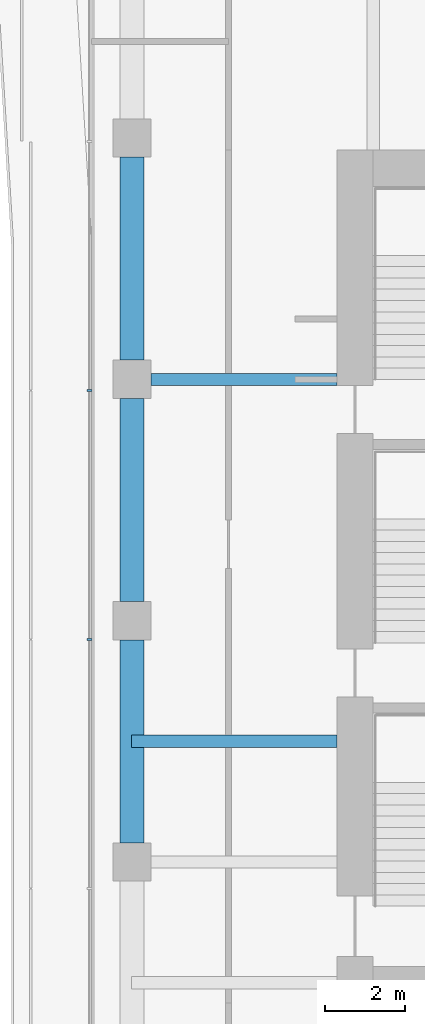
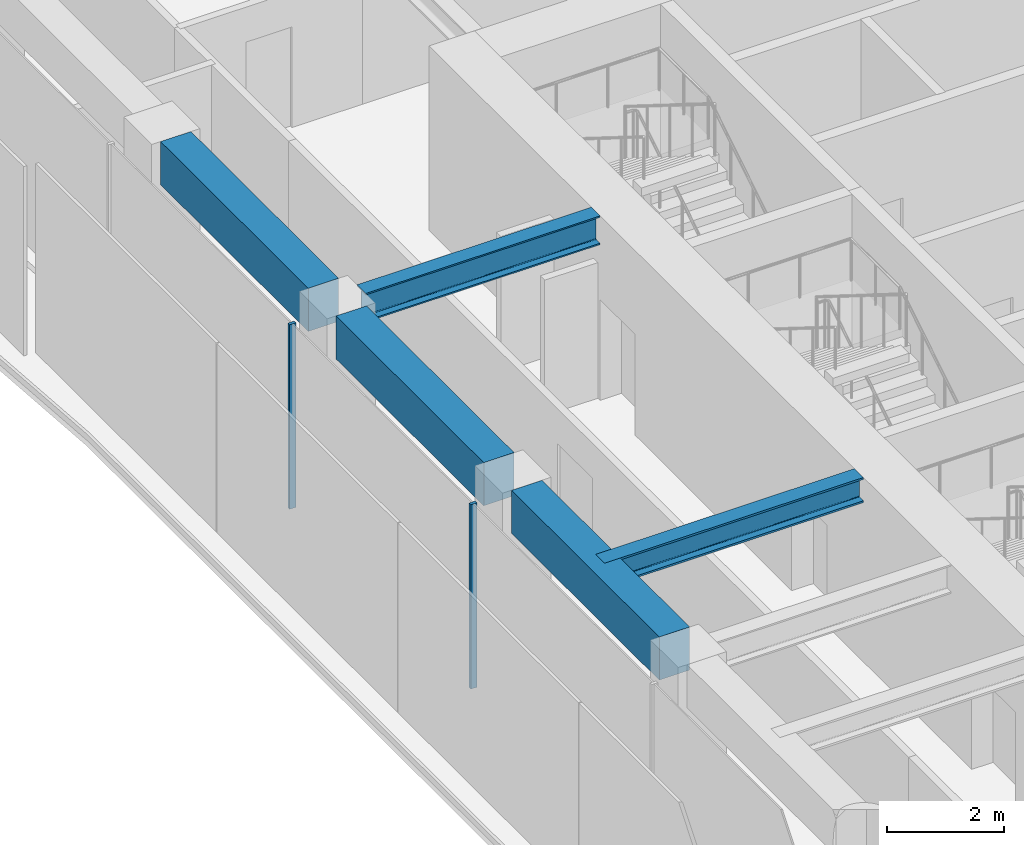
# One storey, part 4 of 29: 5 beams, 2 members, 1 element without a shape of its own.
"""IFC4 building model written with IfcOpenShell, lengths in metres."""

import ifcopenshell
import ifcopenshell.guid

model = None  # the IFC model being written
_history = None  # IfcOwnerHistory: only IFC2X3 demands one
_inside = {}  # id of a spatial element -> (the spatial element, [elements in it])
_under = {}  # id of a project, library or spatial element -> (it, [spatial elements below it])
_declared = {}  # id of a project -> (the project, [libraries it declares])
_typed = {}  # id of a type object -> (the type object, [elements of that type])
_made_of = {}  # id of a material, layer set ... -> (it, [elements and type objects made of it])


def new_model(schema):
    """Start an empty IFC model of exactly this schema.

    Asked for "IFC4X3", IfcOpenShell would pick the latest addendum, in which some entities
    have other attributes; the version numbers below select the first issue.
    IFC2X3 requires an IfcOwnerHistory on every rooted entity: one is made here for all.
    """
    global model, _history
    if schema == "IFC4X3":
        model = ifcopenshell.file(schema_version=(4, 3, 0, 0))
    else:
        model = ifcopenshell.file(schema=schema)
    _inside.clear()
    _under.clear()
    _declared.clear()
    _typed.clear()
    _made_of.clear()
    _history = None
    if model.schema == "IFC2X3":
        org = make("IfcOrganization", Name="unknown")
        user = make(
            "IfcPersonAndOrganization",
            ThePerson=make("IfcPerson", FamilyName="unknown"),
            TheOrganization=org,
        )
        app = make(
            "IfcApplication",
            ApplicationDeveloper=org,
            Version="unknown",
            ApplicationFullName="unknown",
            ApplicationIdentifier="unknown",
        )
        _history = make(
            "IfcOwnerHistory",
            OwningUser=user,
            OwningApplication=app,
            ChangeAction="ADDED",
            CreationDate=0,
        )
    return model


def make(cls, **values):
    """One entity of the class cls with the attributes given. An attribute that is None is left unset."""
    return model.create_entity(
        cls, **{name: value for name, value in values.items() if value is not None}
    )


def rooted(cls, **values):
    """An entity with a GlobalId (a new one), such as an element, a storey or a relation."""
    return make(cls, GlobalId=ifcopenshell.guid.new(), OwnerHistory=_history, **values)


def si_unit(unit_type, name, prefix=None):
    """IfcSIUnit, for example si_unit("LENGTHUNIT", "METRE", prefix="MILLI")."""
    return make("IfcSIUnit", UnitType=unit_type, Prefix=prefix, Name=name)


def assignment(units):
    """IfcUnitAssignment: the units of a project."""
    return None if units is None else make("IfcUnitAssignment", Units=units)


def point(xyz):
    """IfcCartesianPoint."""
    return None if xyz is None else make("IfcCartesianPoint", Coordinates=xyz)


def direction(xyz):
    """IfcDirection."""
    return None if xyz is None else make("IfcDirection", DirectionRatios=xyz)


def frame(location, z_axis=None, x_axis=None):
    """IfcAxis2Placement3D, a coordinate frame: its origin and axes. An axis left out is left unset."""
    return make(
        "IfcAxis2Placement3D",
        Location=point(location),
        Axis=direction(z_axis),
        RefDirection=direction(x_axis),
    )


def frame_2d(location, x_axis=None):
    """IfcAxis2Placement2D, a coordinate frame in the plane: its origin and x axis."""
    return make(
        "IfcAxis2Placement2D", Location=point(location), RefDirection=direction(x_axis)
    )


def origin():
    """The frame at (0, 0, 0) with its axes left unset."""
    return frame((0.0, 0.0, 0.0))


def origin_2d():
    """The frame at (0, 0) in the plane with its x axis left unset."""
    return frame_2d((0.0, 0.0))


def place(relative_to, where):
    """IfcLocalPlacement: puts the frame where relative to a parent placement (None: the world)."""
    return make(
        "IfcLocalPlacement", PlacementRelTo=relative_to, RelativePlacement=where
    )


def context(
    kind, dimensions, precision=None, world=None, true_north=None, identifier=None
):
    """IfcGeometricRepresentationContext, for example the 3D "Model" context."""
    return make(
        "IfcGeometricRepresentationContext",
        ContextIdentifier=identifier,
        ContextType=kind,
        CoordinateSpaceDimension=dimensions,
        Precision=precision,
        WorldCoordinateSystem=world,
        TrueNorth=true_north,
    )


def subcontext(parent, identifier, kind, view, scale=None):
    """IfcGeometricRepresentationSubContext, for example "Body" below "Model"."""
    return make(
        "IfcGeometricRepresentationSubContext",
        ContextIdentifier=identifier,
        ContextType=kind,
        ParentContext=parent,
        TargetScale=scale,
        TargetView=view,
    )


def project(units=None, contexts=None):
    """IfcProject with its units and contexts."""
    return rooted(
        "IfcProject",
        Name="project",
        RepresentationContexts=contexts,
        UnitsInContext=assignment(units),
    )


def spatial(cls, under=None, at=None, **own):
    """A site, building, storey or space (cls), placed at a placement, below another one or the project."""
    s = rooted(cls, ObjectPlacement=at, **own)
    if under is not None:
        _under.setdefault(under.id(), (under, []))[1].append(s)
    return s


def profile(cls, at=None, kind="AREA", **sizes):
    """A parametric profile (cls). Its sizes go by their IFC names, for example OverallWidth=200.0."""
    return make(cls, ProfileType=kind, Position=at, **sizes)


def rectangle(**sizes):
    """IfcRectangleProfileDef."""
    return profile("IfcRectangleProfileDef", **sizes)


def i_section(**sizes):
    """IfcIShapeProfileDef."""
    return profile("IfcIShapeProfileDef", **sizes)


def extrude(swept, where, along, depth):
    """IfcExtrudedAreaSolid: the profile swept, set in the frame where, extruded along a direction by depth."""
    return make(
        "IfcExtrudedAreaSolid",
        SweptArea=swept,
        Position=where,
        ExtrudedDirection=direction(along),
        Depth=depth,
    )


def shape(context_of_items, identifier, shape_type, items):
    """IfcShapeRepresentation: the items that make up one representation, for example the "Body"."""
    return make(
        "IfcShapeRepresentation",
        ContextOfItems=context_of_items,
        RepresentationIdentifier=identifier,
        RepresentationType=shape_type,
        Items=items,
    )


def material(Name=None, Category=None):
    """IfcMaterial."""
    return make("IfcMaterial", Name=Name, Category=Category)


def layer(
    of_material, thickness, ventilated=None, Name=None, Category=None, Priority=None
):
    """IfcMaterialLayer: one layer of a wall or slab, of a material (None: an air gap)."""
    return make(
        "IfcMaterialLayer",
        Material=of_material,
        LayerThickness=thickness,
        IsVentilated=ventilated,
        Name=Name,
        Category=Category,
        Priority=Priority,
    )


def layer_set(layers, Name=None):
    """IfcMaterialLayerSet."""
    return make("IfcMaterialLayerSet", MaterialLayers=layers, LayerSetName=Name)


def material_profile(
    of_material, cross_section, Name=None, Category=None, Priority=None
):
    """IfcMaterialProfile: a cross section and its material."""
    return make(
        "IfcMaterialProfile",
        Name=Name,
        Material=of_material,
        Profile=cross_section,
        Priority=Priority,
        Category=Category,
    )


def profile_set(profiles, Name=None, composite=None):
    """IfcMaterialProfileSet."""
    return make(
        "IfcMaterialProfileSet",
        Name=Name,
        MaterialProfiles=profiles,
        CompositeProfile=composite,
    )


def made_of(thing, what):
    """Note that an element or type object is made of a material, layer set ...; save() writes the relation."""
    if what is not None:
        _made_of.setdefault(what.id(), (what, []))[1].append(thing)
    return thing


def type_object(cls, material=None, **own):
    """A type object (cls), such as IfcWallType, which elements share."""
    return made_of(rooted(cls, **own), material)


def element(
    cls,
    number,
    at=None,
    inside=None,
    cuts=None,
    type_object=None,
    material=None,
    context=None,
    identifier="Body",
    shape_type=None,
    held_by="IfcProductDefinitionShape",
    body=None,
    shapes=None,
    **own,
):
    """One element of the class cls, such as IfcWall. Its Tag is "e" and its number.

    at: its placement. inside: the storey or other place that contains it. cuts: it is an
    opening in that element (IfcRelVoidsElement). A single representation is given by context,
    identifier, shape_type and body (its items); several are given by shapes. held_by: the class
    of the entity that holds the representations. save() writes the other relations.
    """
    e = rooted(cls, Tag="e%d" % number, ObjectPlacement=at, **own)
    if body is not None:
        shapes = [shape(context, identifier, shape_type, body)]
    if shapes is not None:
        e.Representation = make(held_by, Representations=shapes)
    if inside is not None:
        _inside.setdefault(inside.id(), (inside, []))[1].append(e)
    if cuts is not None:
        rooted(
            "IfcRelVoidsElement", RelatingBuildingElement=cuts, RelatedOpeningElement=e
        )
    if type_object is not None:
        _typed.setdefault(type_object.id(), (type_object, []))[1].append(e)
    return made_of(e, material)


def aggregate(whole, parts):
    """IfcRelAggregates: a whole, such as a stair, and the parts it consists of."""
    return rooted("IfcRelAggregates", RelatingObject=whole, RelatedObjects=parts)


def save(model, path):
    """Write the relations noted so far, then the file.

    IfcRelAggregates (storeys below a building ...), IfcRelContainedInSpatialStructure (elements
    in a storey), IfcRelDefinesByType, IfcRelAssociatesMaterial and IfcRelDeclares: one each for
    every whole, place, type object, material and project.
    """
    for whole, parts in _under.values():
        aggregate(whole, parts)
    for where, things in _inside.values():
        rooted(
            "IfcRelContainedInSpatialStructure",
            RelatedElements=things,
            RelatingStructure=where,
        )
    for kind, things in _typed.values():
        rooted("IfcRelDefinesByType", RelatedObjects=things, RelatingType=kind)
    for what, things in _made_of.values():
        rooted("IfcRelAssociatesMaterial", RelatedObjects=things, RelatingMaterial=what)
    for by, libraries in _declared.values():
        rooted("IfcRelDeclares", RelatingContext=by, RelatedDefinitions=libraries)
    model.write(path)


model = new_model("IFC4")

# Units and contexts
model_context = context("Model", 3, precision=1e-05, world=origin(), true_north=direction((0.0, 1.0)))
body_context = subcontext(model_context, "Body", "Model", "MODEL_VIEW")
ifc_project = project(units=[si_unit("LENGTHUNIT", "METRE"), si_unit("AREAUNIT", "SQUARE_METRE"), si_unit("VOLUMEUNIT", "CUBIC_METRE"), si_unit("PLANEANGLEUNIT", "RADIAN"), si_unit("MASSUNIT", "GRAM", prefix="KILO")], contexts=[model_context])

# Site, building, storey
site_placement = place(None, origin())
site = spatial("IfcSite", under=ifc_project, at=site_placement, CompositionType="ELEMENT")
building_placement = place(site_placement, origin())
building = spatial("IfcBuilding", under=site, at=building_placement, Name="Welwitschia Terrace Campus", CompositionType="ELEMENT")
storey_placement = place(building_placement, frame((0.0, 0.0, 66.800048828125)))
storey = spatial("IfcBuildingStorey", under=building, at=storey_placement, Name="L15", CompositionType="ELEMENT", Elevation=66.800048828125)

# Beam
ifc_material_1 = material(Name="Steel S355", Category="steel")
ifc_material_profile_1 = material_profile(ifc_material_1, i_section(OverallWidth=0.305908203125, OverallDepth=0.52392578125, WebThickness=0.02099609375, FlangeThickness=0.0400390625, FilletRadius=0.027099609375, at=origin_2d()))
ifc_profile_set_1 = profile_set([ifc_material_profile_1], Name="Steel S355")
beam_type_1 = type_object("IfcBeamType", Name="Interior girder HE 500 M", PredefinedType="BEAM", material=ifc_profile_set_1)
beam_1_placement = place(storey_placement, frame((-0.010009765625, 11.0, 3.587890625), z_axis=(1.0, 0.0, 0.0), x_axis=(0.0, 1.0, 0.0)))
element("IfcBeam", 1, at=beam_1_placement, inside=storey, type_object=beam_type_1, Name="Girder GB2", PredefinedType="BEAM", context=body_context, shape_type="SweptSolid", body=[
    extrude(i_section(OverallWidth=0.305908203125, OverallDepth=0.52392578125, WebThickness=0.02099609375, FlangeThickness=0.0400390625, FilletRadius=0.027099609375, at=origin_2d()), origin(), (0.0, 0.0, 1.0), 5.109130859375),
])

# Curtain wall, members
ifc_material_2 = material(Name="Bronze anodised aluminium", Category="aluminium")
ifc_layer = layer(ifc_material_2, 0.1201171875)
ifc_layer_set = layer_set([ifc_layer], Name="Bronze anodised aluminium")
curtain_wall_type = type_object("IfcCurtainWallType", Name="Curtain wall CW2 tower 6000", PredefinedType="NOTDEFINED", material=ifc_layer_set)
curtain_wall_placement = place(storey_placement, origin())
curtain_wall = element("IfcCurtainWall", 2, at=curtain_wall_placement, inside=storey, type_object=curtain_wall_type, Name="CW L15.12.0", PredefinedType="NOTDEFINED")
ifc_material_3 = material(Name="Bronze anodised aluminium", Category="aluminium")
ifc_material_profile_2 = material_profile(ifc_material_3, rectangle(XDim=0.1201171875, YDim=0.06005859375, at=origin_2d()))
ifc_profile_set_2 = profile_set([ifc_material_profile_2], Name="Bronze anodised aluminium")
member_type = type_object("IfcMemberType", Name="Mullion 60x120", PredefinedType="MULLION", material=ifc_profile_set_2)
member_1_placement = place(storey_placement, frame((-1.05810546875, 19.7216796875, 0.0), z_axis=(0.0, 0.0, 1.0), x_axis=(1.0, 0.0, 0.0)))
member_1 = element("IfcMember", 3, at=member_1_placement, type_object=member_type, Name="Mullion L15.12.0.7", PredefinedType="MULLION", context=body_context, shape_type="SweptSolid", body=[
    extrude(rectangle(XDim=0.1201171875, YDim=0.06005859375, at=origin_2d()), origin(), (0.0, 0.0, 1.0), 3.849853515625),
])
member_2_placement = place(storey_placement, frame((-1.05810546875, 13.53076171875, 0.0), z_axis=(0.0, 0.0, 1.0), x_axis=(1.0, 0.0, 0.0)))
member_2 = element("IfcMember", 4, at=member_2_placement, type_object=member_type, Name="Mullion L15.12.0.8", PredefinedType="MULLION", context=body_context, shape_type="SweptSolid", body=[
    extrude(rectangle(XDim=0.1201171875, YDim=0.06005859375, at=origin_2d()), origin(), (0.0, 0.0, 1.0), 3.849853515625),
])
aggregate(curtain_wall, [member_1, member_2])

# Beams
ifc_material_4 = material(Name="Steel S355", Category="steel")
ifc_material_profile_3 = material_profile(ifc_material_4, i_section(OverallWidth=0.300048828125, OverallDepth=0.60009765625, WebThickness=0.015380859375, FlangeThickness=0.030029296875, FilletRadius=0.027099609375, at=origin_2d()))
ifc_profile_set_3 = profile_set([ifc_material_profile_3], Name="Steel S355")
beam_type_2 = type_object("IfcBeamType", Name="Primary beam HE 600 B", PredefinedType="BEAM", material=ifc_profile_set_3)
beam_2_placement = place(storey_placement, frame((0.4755859375, 20.0, 3.550048828125), z_axis=(1.0, 0.0, 0.0), x_axis=(0.0, 1.0, 0.0)))
element("IfcBeam", 5, at=beam_2_placement, inside=storey, type_object=beam_type_2, Name="Primary beam PB2", PredefinedType="BEAM", context=body_context, shape_type="SweptSolid", body=[
    extrude(i_section(OverallWidth=0.300048828125, OverallDepth=0.60009765625, WebThickness=0.015380859375, FlangeThickness=0.030029296875, FilletRadius=0.027099609375, at=origin_2d()), origin(), (0.0, 0.0, 1.0), 4.62451171875),
])
ifc_material_5 = material(Name="Concrete C60/75", Category="concrete")
ifc_material_profile_4 = material_profile(ifc_material_5, rectangle(XDim=0.60009765625, YDim=0.89990234375, at=origin_2d()))
ifc_profile_set_4 = profile_set([ifc_material_profile_4], Name="Concrete C60/75")
beam_type_3 = type_object("IfcBeamType", Name="Ring spandrel 600x900", PredefinedType="SPANDREL", material=ifc_profile_set_4)
for number, where, z_axis, x_axis, name in (
    (6, (0.0, 25.5244140625, 3.39990234375), (0.0, -1.0, 0.0), (1.0, 0.0, 0.0), "Spandrel SP2"),
    (7, (0.0, 19.5244140625, 3.39990234375), (0.0, -1.0, 0.0), (1.0, 0.0, 0.0), "Spandrel SP2"),
    (8, (0.0, 13.5244140625, 3.39990234375), (0.0, -1.0, 0.0), (1.0, 0.0, 0.0), "Spandrel SP2"),
):
    element("IfcBeam", number, at=place(storey_placement, frame(where, z_axis=z_axis, x_axis=x_axis)), inside=storey, type_object=beam_type_3, Name=name, PredefinedType="SPANDREL", context=body_context, shape_type="SweptSolid", body=[
        extrude(rectangle(XDim=0.60009765625, YDim=0.89990234375, at=origin_2d()), origin(), (0.0, 0.0, 1.0), 5.048828125),
    ])

save(model, "model.ifc")
